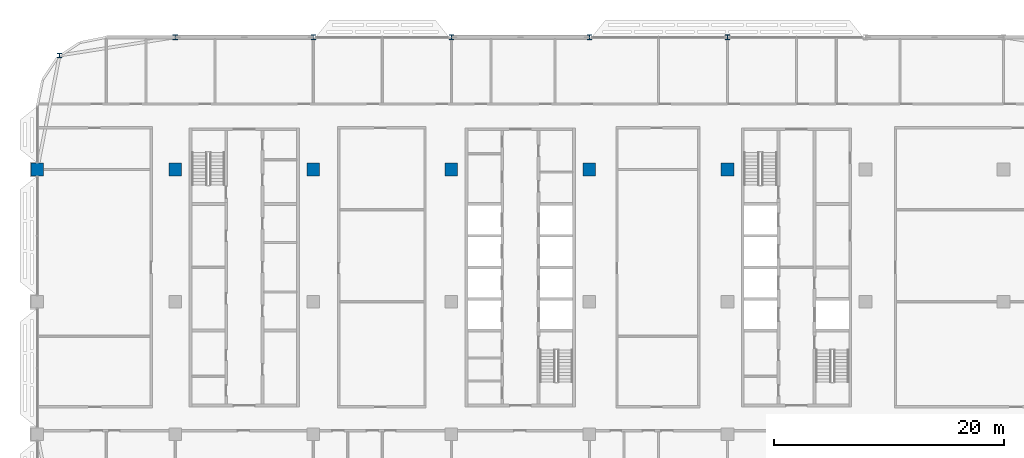
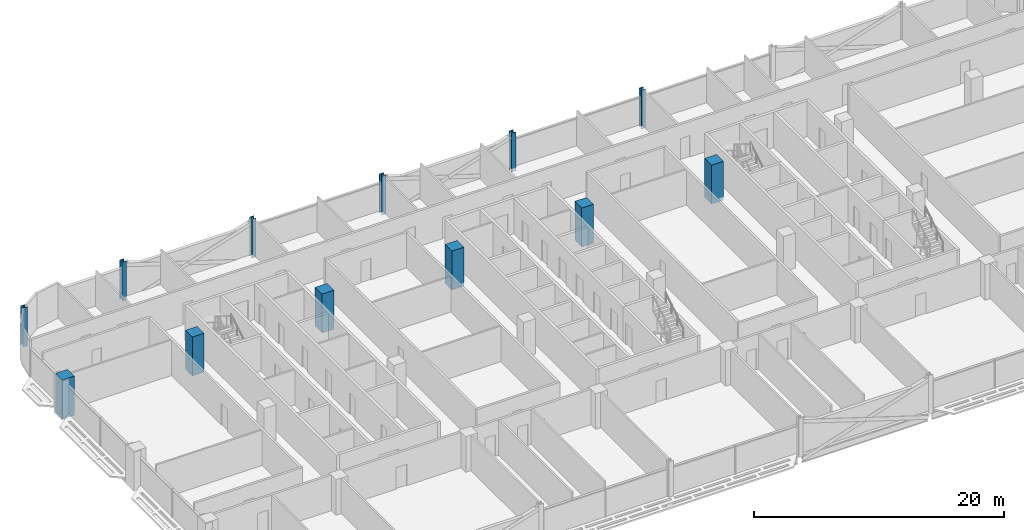
# One storey, part 2 of 30: 12 columns.
"""IFC4 building model written with IfcOpenShell, lengths in metres."""

from ifc_helpers import new_model, si_unit, direction, frame, origin, origin_2d, place, context, subcontext, project, spatial, rectangle, i_section, extrude, material, material_profile, profile_set, type_object, element, save


model = new_model("IFC4")

# Units and contexts
model_context = context("Model", 3, precision=1e-05, world=origin(), true_north=direction((0.0, 1.0)))
body_context = subcontext(model_context, "Body", "Model", "MODEL_VIEW")
ifc_project = project(units=[si_unit("LENGTHUNIT", "METRE"), si_unit("AREAUNIT", "SQUARE_METRE"), si_unit("VOLUMEUNIT", "CUBIC_METRE"), si_unit("PLANEANGLEUNIT", "RADIAN"), si_unit("MASSUNIT", "GRAM", prefix="KILO")], contexts=[model_context])

# Site, building, storey
site_placement = place(None, origin())
site = spatial("IfcSite", under=ifc_project, at=site_placement, CompositionType="ELEMENT")
building_placement = place(site_placement, origin())
building = spatial("IfcBuilding", under=site, at=building_placement, Name="Mahtab Terrace Research Tower", CompositionType="ELEMENT")
storey_placement = place(building_placement, frame((0.0, 0.0, 212.89990234375)))
storey = spatial("IfcBuildingStorey", under=building, at=storey_placement, Name="L51", CompositionType="ELEMENT", Elevation=212.89990234375)

# Columns
ifc_material_1 = material(Name="Concrete C70/85", Category="concrete")
ifc_material_profile_1 = material_profile(ifc_material_1, rectangle(XDim=1.10009765625, YDim=1.10009765625, at=origin_2d()), Name="RC column 1100x1100")
ifc_profile_set_1 = profile_set([ifc_material_profile_1], Name="Concrete C70/85")
column_type_1 = type_object("IfcColumnType", Name="RC column 1100x1100", PredefinedType="COLUMN", material=ifc_profile_set_1)
for number, where, z_axis, x_axis, name in (
    (1, (-42.0, 11.5, -0.33984375), (0.0, 0.0, 1.0), (1.0, 0.0, 0.0), "Column RC-1C L51"),
    (2, (-30.0, 11.5, -0.33984375), (0.0, 0.0, 1.0), (1.0, 0.0, 0.0), "Column RC-2C L51"),
    (3, (-18.0, 11.5, -0.33984375), (0.0, 0.0, 1.0), (1.0, 0.0, 0.0), "Column RC-3C L51"),
    (4, (-6.0, 11.5, -0.33984375), (0.0, 0.0, 1.0), (1.0, 0.0, 0.0), "Column RC-4C L51"),
    (5, (6.0, 11.5, -0.33984375), (0.0, 0.0, 1.0), (1.0, 0.0, 0.0), "Column RC-5C L51"),
    (6, (18.0, 11.5, -0.33984375), (0.0, 0.0, 1.0), (1.0, 0.0, 0.0), "Column RC-6C L51"),
):
    element("IfcColumn", number, at=place(storey_placement, frame(where, z_axis=z_axis, x_axis=x_axis)), inside=storey, type_object=column_type_1, Name=name, PredefinedType="COLUMN", context=body_context, shape_type="SweptSolid", body=[
        extrude(rectangle(XDim=1.10009765625, YDim=1.10009765625, at=origin_2d()), origin(), (0.0, 0.0, 1.0), 3.800048828125),
    ])
ifc_material_2 = material(Name="Steel ASTM A992 Gr 50", Category="steel")
ifc_material_profile_2 = material_profile(ifc_material_2, i_section(OverallWidth=0.4013671875, OverallDepth=0.398681640625, WebThickness=0.02490234375, FlangeThickness=0.03955078125, at=origin_2d()), Name="W14X211")
ifc_profile_set_2 = profile_set([ifc_material_profile_2], Name="Steel ASTM A992 Gr 50")
column_type_2 = type_object("IfcColumnType", Name="W14x211 column CS14211", PredefinedType="COLUMN", material=ifc_profile_set_2)
for number, where, z_axis, x_axis, name in (
    (7, (18.0, 23.0, -0.33984375), (0.0, 0.0, 1.0), (1.0, 0.0, 0.0), "Column SC-003 L51"),
    (8, (6.0, 23.0, -0.33984375), (0.0, 0.0, 1.0), (1.0, 0.0, 0.0), "Column SC-004 L51"),
    (9, (-6.0, 23.0, -0.33984375), (0.0, 0.0, 1.0), (1.0, 0.0, 0.0), "Column SC-005 L51"),
    (10, (-18.0, 23.0, -0.33984375), (0.0, 0.0, 1.0), (1.0, 0.0, 0.0), "Column SC-006 L51"),
    (11, (-30.0, 23.0, -0.33984375), (0.0, 0.0, 1.0), (1.0, 0.0, 0.0), "Column SC-007 L51"),
    (12, (-40.06201171875, 21.416015625, -0.33984375), (0.0, 0.0, 1.0), (1.0, 0.0, 0.0), "Column SC-024 L51"),
):
    element("IfcColumn", number, at=place(storey_placement, frame(where, z_axis=z_axis, x_axis=x_axis)), inside=storey, type_object=column_type_2, Name=name, PredefinedType="COLUMN", context=body_context, shape_type="SweptSolid", body=[
        extrude(i_section(OverallWidth=0.4013671875, OverallDepth=0.398681640625, WebThickness=0.02490234375, FlangeThickness=0.03955078125, at=origin_2d()), origin(), (0.0, 0.0, 1.0), 3.800048828125),
    ])

save(model, "model.ifc")
